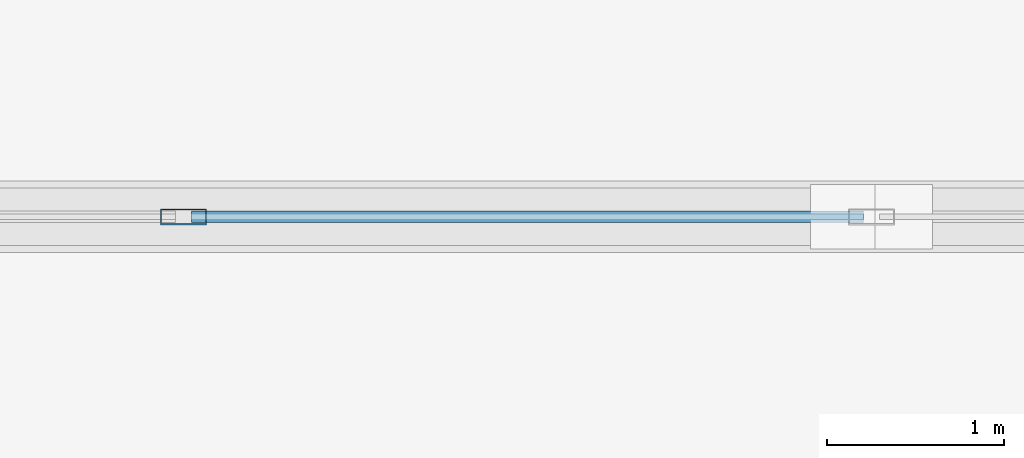
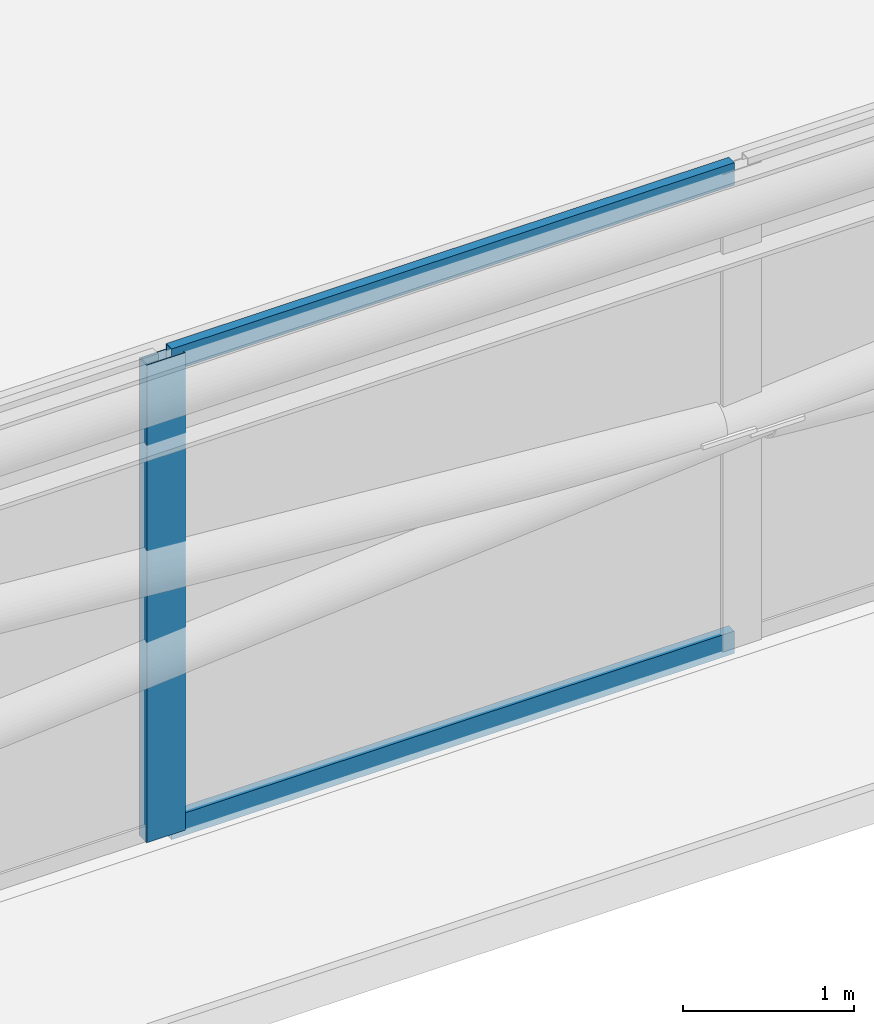
# One storey, part 6 of 23: 3 members, 1 element without a shape of its own.
"""IFC4 building model written with IfcOpenShell, lengths in metres."""

from ifc_helpers import new_model, si_unit, direction, frame, origin, origin_2d, place, context, subcontext, project, spatial, hollow_rectangle, extrude, material, layer, layer_set, material_profile, profile_set, type_object, element, aggregate, save


model = new_model("IFC4")

# Units and contexts
model_context = context("Model", 3, precision=1e-05, world=origin(), true_north=direction((0.0, 1.0)))
body_context = subcontext(model_context, "Body", "Model", "MODEL_VIEW")
ifc_project = project(units=[si_unit("LENGTHUNIT", "METRE"), si_unit("AREAUNIT", "SQUARE_METRE"), si_unit("VOLUMEUNIT", "CUBIC_METRE"), si_unit("PLANEANGLEUNIT", "RADIAN"), si_unit("MASSUNIT", "GRAM", prefix="KILO")], contexts=[model_context])

# Site, building, storey
site_placement = place(None, origin())
site = spatial("IfcSite", under=ifc_project, at=site_placement, CompositionType="ELEMENT")
building_placement = place(site_placement, origin())
building = spatial("IfcBuilding", under=site, at=building_placement, Name="Qobustan Lattice House", CompositionType="ELEMENT")
storey_placement = place(building_placement, frame((0.0, 0.0, 270.199951171875)))
storey = spatial("IfcBuildingStorey", under=building, at=storey_placement, Name="L76", CompositionType="ELEMENT", Elevation=270.199951171875)

# Curtain wall, members
ifc_material_1 = material(Name="Anodised aluminium and low-E glazing", Category="aluminium")
ifc_layer = layer(ifc_material_1, 0.219970703125)
ifc_layer_set = layer_set([ifc_layer], Name="Anodised aluminium and low-E glazing")
curtain_wall_type = type_object("IfcCurtainWallType", Name="CW-CRN-01", PredefinedType="USERDEFINED", material=ifc_layer_set)
curtain_wall_placement = place(storey_placement, origin())
curtain_wall = element("IfcCurtainWall", 1, at=curtain_wall_placement, inside=storey, type_object=curtain_wall_type, Name="L76 glass-point crown faceted curtain wall 20", ObjectType="CURTAIN WALL", PredefinedType="USERDEFINED")
ifc_material_2 = material(Name="Anodised aluminium EN AW-6063 T6", Category="aluminium")
ifc_material_profile_1 = material_profile(ifc_material_2, hollow_rectangle(XDim=0.090087890625, YDim=0.260009765625, WallThickness=0.006103515625, at=origin_2d()), Name="CWM-CROWN-260x90")
ifc_profile_set_1 = profile_set([ifc_material_profile_1], Name="Anodised aluminium EN AW-6063 T6")
member_type_1 = type_object("IfcMemberType", Name="CWM-CRN-260", PredefinedType="MULLION", material=ifc_profile_set_1)
member_1_placement = place(storey_placement, frame((-4.080078125, -16.89990234375, 0.0), z_axis=(0.0, 0.0, 1.0), x_axis=(0.0, -1.0, 0.0)))
member_1 = element("IfcMember", 2, at=member_1_placement, type_object=member_type_1, Name="CW-CR mullion 7", PredefinedType="MULLION", context=body_context, shape_type="SweptSolid", body=[
    extrude(hollow_rectangle(XDim=0.090087890625, YDim=0.260009765625, WallThickness=0.006103515625, at=origin_2d()), origin(), (0.0, 0.0, 1.0), 3.400146484375),
])
ifc_material_3 = material(Name="Anodised aluminium EN AW-6063 T6", Category="aluminium")
ifc_material_profile_2 = material_profile(ifc_material_3, hollow_rectangle(XDim=0.06494140625, YDim=0.159912109375, WallThickness=0.00390625, at=origin_2d()), Name="CWT-160x65")
ifc_profile_set_2 = profile_set([ifc_material_profile_2], Name="Anodised aluminium EN AW-6063 T6")
member_type_2 = type_object("IfcMemberType", Name="CWT-HOR-160", PredefinedType="USERDEFINED", material=ifc_profile_set_2)
member_2_placement = place(storey_placement, frame((-0.2451171875, -16.89990234375, 0.032470703125), z_axis=(-1.0, 0.0, 0.0), x_axis=(0.0, -1.0, 0.0)))
member_2 = element("IfcMember", 3, at=member_2_placement, type_object=member_type_2, Name="CW-CR transom 6.1", ObjectType="TRANSOM", PredefinedType="USERDEFINED", context=body_context, shape_type="SweptSolid", body=[
    extrude(hollow_rectangle(XDim=0.06494140625, YDim=0.159912109375, WallThickness=0.00390625, at=origin_2d()), origin(), (0.0, 0.0, 1.0), 3.789794921875),
])
member_3_placement = place(storey_placement, frame((-0.2451171875, -16.89990234375, 3.367431640625), z_axis=(-1.0, 0.0, 0.0), x_axis=(0.0, -1.0, 0.0)))
member_3 = element("IfcMember", 4, at=member_3_placement, type_object=member_type_2, Name="CW-CR transom 6.2", ObjectType="TRANSOM", PredefinedType="USERDEFINED", context=body_context, shape_type="SweptSolid", body=[
    extrude(hollow_rectangle(XDim=0.06494140625, YDim=0.159912109375, WallThickness=0.00390625, at=origin_2d()), origin(), (0.0, 0.0, 1.0), 3.789794921875),
])
aggregate(curtain_wall, [member_1, member_2, member_3])

save(model, "model.ifc")
